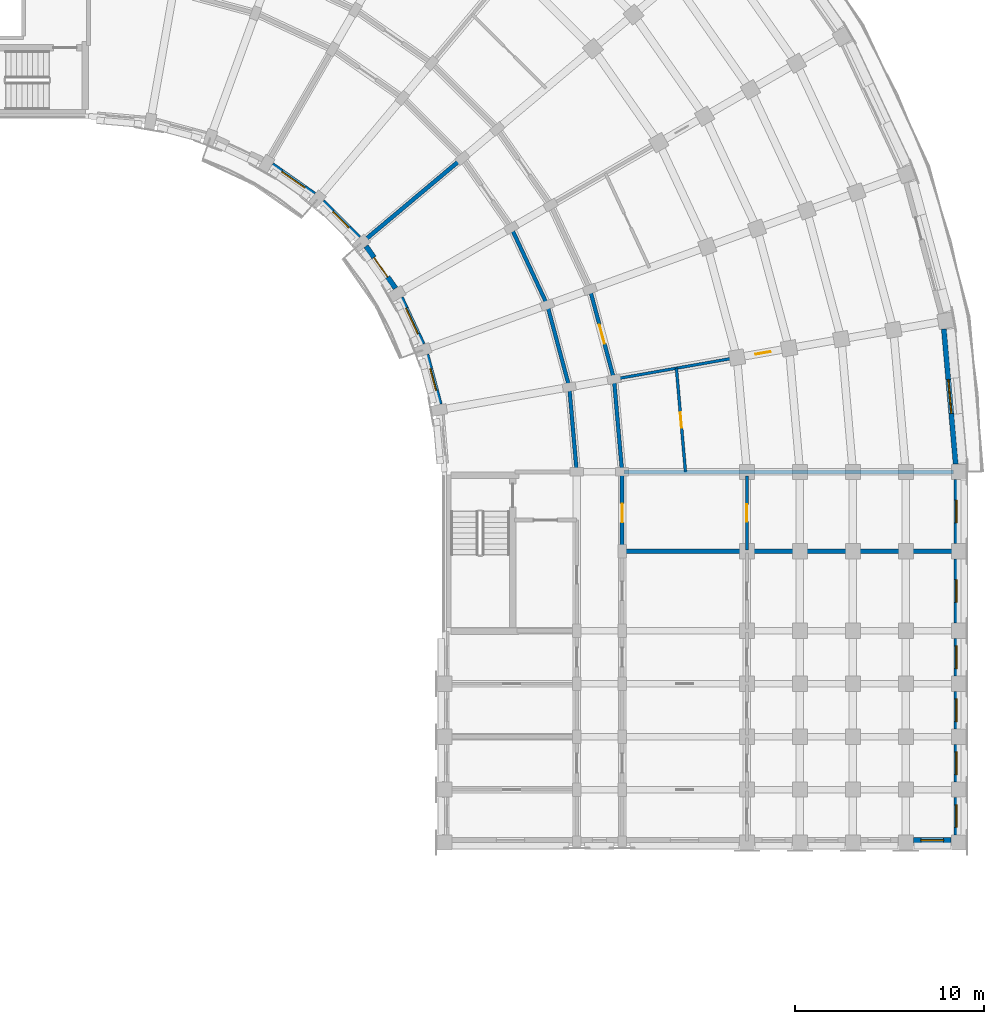
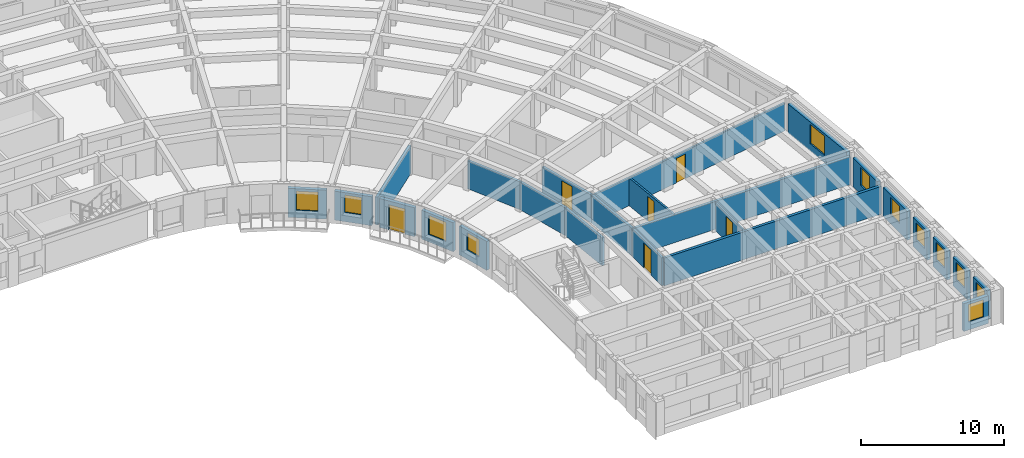
# One storey, part 32 of 54: 25 walls, 12 windows, 6 doors, 18 openings.
"""IFC4 building model written with IfcOpenShell, lengths in metres."""

from ifc_helpers import new_model, si_unit, direction, frame, frame_2d, origin, place, context, subcontext, project, spatial, rectangle, extrude, material, layer, layer_set, type_object, element, fill, save


model = new_model("IFC4")

# Units and contexts
model_context = context("Model", 3, precision=1e-05, world=origin(), true_north=direction((0.0, 1.0)))
body_context = subcontext(model_context, "Body", "Model", "MODEL_VIEW")
ifc_project = project(units=[si_unit("LENGTHUNIT", "METRE"), si_unit("AREAUNIT", "SQUARE_METRE"), si_unit("VOLUMEUNIT", "CUBIC_METRE"), si_unit("PLANEANGLEUNIT", "RADIAN"), si_unit("MASSUNIT", "GRAM", prefix="KILO")], contexts=[model_context])

# Site, building, storey
site_placement = place(None, origin())
site = spatial("IfcSite", under=ifc_project, at=site_placement, CompositionType="ELEMENT")
building_placement = place(site_placement, origin())
building = spatial("IfcBuilding", under=site, at=building_placement, Name="Kiranvali Square Residences", CompositionType="ELEMENT")
storey_placement = place(building_placement, frame((0.0, 0.0, 15.0)))
storey = spatial("IfcBuildingStorey", under=building, at=storey_placement, Name="L04", CompositionType="ELEMENT", Elevation=15.0)

# Walls
ifc_material_1 = material(Name="Autoclaved aerated concrete blockwork masonry", Category="masonry")
ifc_layer_1 = layer(ifc_material_1, 0.199951171875)
ifc_layer_set_1 = layer_set([ifc_layer_1], Name="Autoclaved aerated concrete blockwork masonry")
wall_type_1 = type_object("IfcWallType", Name="WL-COR-200", PredefinedType="STANDARD", material=ifc_layer_set_1)
for number, where, z_axis, x_axis, name in (
    (1, (142.1435546875, 100.699951171875, 0.0), (0.0, 0.0, 1.0), (0.422617978463, -0.906307919131, 0.0), "L04 architectural wall WL-L04-B-CCI-6"),
    (2, (144.044189453125, 96.6240234375, 0.0), (0.0, 0.0, 1.0), (0.258787642463, -0.965934240054, 0.0), "L04 architectural wall WL-L04-B-CCI-7"),
):
    element("IfcWall", number, at=place(storey_placement, frame(where, z_axis=z_axis, x_axis=x_axis)), inside=storey, type_object=wall_type_1, Name=name, PredefinedType="STANDARD", context=body_context, shape_type="SweptSolid", body=[
        extrude(rectangle(XDim=4.497314453125, YDim=0.199951171875, at=frame_2d((2.24853515625, 0.0))), origin(), (0.0, 0.0, 1.0), 2.3720703125),
    ])

# Wall, opening, door
wall_1_placement = place(storey_placement, frame((146.29931640625, 97.445068359375, 0.0), z_axis=(0.0, 0.0, 1.0), x_axis=(0.258803112091, -0.965930095386, 0.0)))
wall_1 = element("IfcWall", 3, at=wall_1_placement, inside=storey, type_object=wall_type_1, Name="L04 architectural wall WL-L04-B-CCO-7", PredefinedType="STANDARD", context=body_context, shape_type="SweptSolid", body=[
    extrude(rectangle(XDim=4.915771484375, YDim=0.199951171875, at=frame_2d((2.4580078125, 0.0))), origin(), (0.0, 0.0, 1.0), 2.3720703125),
])
opening_1_placement = place(wall_1_placement, frame((1.937744140625, 0.0, 0.0)))
opening_1 = element("IfcOpeningElement", 4, at=opening_1_placement, cuts=wall_1, Name="Opening FD-APT-60B", PredefinedType="OPENING", context=body_context, shape_type="SweptSolid", body=[
    extrude(rectangle(XDim=1.0400390625, YDim=2.14990234375, at=frame_2d((0.52001953125, 1.074951171875))), frame((0.0, 0.10986328125, 0.0), z_axis=(0.0, -1.0, 0.0), x_axis=(1.0, 0.0, 0.0)), (0.0, 0.0, 1.0), 0.219970703125),
])
ifc_material_2 = material(Name="Fire-rated acoustic hardwood and mineral-core door assembly", Category="wood")
door_type_1 = type_object("IfcDoorType", Name="DR-APT-1040", OperationType="NOTDEFINED", PredefinedType="DOOR", material=ifc_material_2)
door_1_placement = place(opening_1_placement, frame((1.0400390625, 0.0, 0.0), z_axis=(0.0, 0.0, 1.0), x_axis=(-1.0, 0.0, 0.0)))
door_1 = element("IfcDoor", 5, at=door_1_placement, inside=storey, type_object=door_type_1, Name="L04 door DR-L04-1234 (DR-APT-1040)", OperationType="SINGLE_SWING_RIGHT", OverallHeight=2.14990234375, OverallWidth=1.0400390625, PredefinedType="DOOR", context=body_context, shape_type="SweptSolid", body=[
    extrude(rectangle(XDim=1.0400390625, YDim=2.14990234375, at=frame_2d((0.52001953125, 1.074951171875))), frame((0.0, 0.02490234375, 0.0), z_axis=(0.0, -1.0, 0.0), x_axis=(1.0, 0.0, 0.0)), (0.0, 0.0, 1.0), 0.050048828125),
])
fill(opening_1, door_1)

# Walls
wall_2_placement = place(storey_placement, frame((145.2080078125, 92.280029296875, 0.0), z_axis=(0.0, 0.0, 1.0), x_axis=(0.087187153726, -0.996191949488, 0.0)))
element("IfcWall", 6, at=wall_2_placement, inside=storey, type_object=wall_type_1, Name="L04 architectural wall WL-L04-B-CCI-8", PredefinedType="STANDARD", context=body_context, shape_type="SweptSolid", body=[
    extrude(rectangle(XDim=4.4970703125, YDim=0.199951171875, at=frame_2d((2.24853515625, 0.0))), origin(), (0.0, 0.0, 1.0), 2.3720703125),
])
wall_3_placement = place(storey_placement, frame((147.571533203125, 92.69677734375, 0.0), z_axis=(0.0, 0.0, 1.0), x_axis=(0.087167566415, -0.996193663584, 0.0)))
element("IfcWall", 7, at=wall_3_placement, inside=storey, type_object=wall_type_1, Name="L04 architectural wall WL-L04-B-CCO-8", PredefinedType="STANDARD", context=body_context, shape_type="SweptSolid", body=[
    extrude(rectangle(XDim=4.91552734375, YDim=0.199951171875, at=frame_2d((2.457763671875, 0.0))), origin(), (0.0, 0.0, 1.0), 2.3720703125),
])

# Wall, opening, door
wall_4_placement = place(storey_placement, frame((148.0, 87.64990234375, 0.0), z_axis=(0.0, 0.0, 1.0), x_axis=(0.0, -1.0, 0.0)))
wall_4 = element("IfcWall", 8, at=wall_4_placement, inside=storey, type_object=wall_type_1, Name="L04 architectural wall WL-L04-B-A2CF-C0", PredefinedType="STANDARD", context=body_context, shape_type="SweptSolid", body=[
    extrude(rectangle(XDim=4.0498046875, YDim=0.199951171875, at=frame_2d((2.02490234375, 0.0))), origin(), (0.0, 0.0, 1.0), 2.3720703125),
])
opening_2_placement = place(wall_4_placement, frame((1.52490234375, 0.0, 0.0)))
opening_2 = element("IfcOpeningElement", 9, at=opening_2_placement, cuts=wall_4, Name="Opening FD-APT-60", PredefinedType="OPENING", context=body_context, shape_type="SweptSolid", body=[
    extrude(rectangle(XDim=1.0, YDim=2.14990234375, at=frame_2d((0.5, 1.074951171875))), frame((0.0, 0.10986328125, 0.0), z_axis=(0.0, -1.0, 0.0), x_axis=(1.0, 0.0, 0.0)), (0.0, 0.0, 1.0), 0.219970703125),
])
door_type_2 = type_object("IfcDoorType", Name="DR-APT-1000", OperationType="NOTDEFINED", PredefinedType="DOOR", material=ifc_material_2)
door_2_placement = place(opening_2_placement, origin())
door_2 = element("IfcDoor", 10, at=door_2_placement, inside=storey, type_object=door_type_2, Name="L04 door DR-L04-1239 (DR-APT-1000)", OperationType="SINGLE_SWING_LEFT", OverallHeight=2.14990234375, OverallWidth=1.0, PredefinedType="DOOR", context=body_context, shape_type="SweptSolid", body=[
    extrude(rectangle(XDim=1.0, YDim=2.14990234375, at=frame_2d((0.5, 1.074951171875))), frame((0.0, 0.02490234375, 0.0), z_axis=(0.0, -1.0, 0.0), x_axis=(1.0, 0.0, 0.0)), (0.0, 0.0, 1.0), 0.050048828125),
])
fill(opening_2, door_2)

# Walls
ifc_layer_2 = layer(ifc_material_1, 0.219970703125)
ifc_layer_set_2 = layer_set([ifc_layer_2], Name="Autoclaved aerated concrete blockwork masonry")
wall_type_2 = type_object("IfcWallType", Name="WL-DEM-220", PredefinedType="STANDARD", material=ifc_layer_set_2)
wall_5_placement = place(storey_placement, frame((134.354736328125, 100.012939453125, 0.0), z_axis=(0.0, 0.0, 1.0), x_axis=(0.766046761698, 0.642784846501, 0.0)))
element("IfcWall", 11, at=wall_5_placement, inside=storey, type_object=wall_type_2, Name="L04 architectural wall WL-L04-B-RADI-5", PredefinedType="STANDARD", context=body_context, shape_type="SweptSolid", body=[
    extrude(rectangle(XDim=6.75, YDim=0.219970703125, at=frame_2d((3.375, 0.0))), origin(), (0.0, 0.0, 1.0), 2.3720703125),
])
wall_6_placement = place(storey_placement, frame((148.10009765625, 87.800048828125, 0.0), z_axis=(0.0, 0.0, 1.0), x_axis=(1.0, 0.0, 0.0)))
element("IfcWall", 12, at=wall_6_placement, inside=storey, type_object=wall_type_2, Name="L04 architectural wall WL-L04-B-RADO-9", PredefinedType="STANDARD", context=body_context, shape_type="SweptSolid", body=[
    extrude(rectangle(XDim=17.419921875, YDim=0.219970703125, at=frame_2d((8.7099609375, 0.0))), origin(), (0.0, 0.0, 1.0), 2.3720703125),
])
wall_7_placement = place(storey_placement, frame((148.050048828125, 83.60009765625, 0.0), z_axis=(0.0, 0.0, 1.0), x_axis=(1.0, 0.0, 0.0)))
element("IfcWall", 13, at=wall_7_placement, inside=storey, type_object=wall_type_2, Name="L04 architectural wall WL-L04-B-A2CF-MID", PredefinedType="STANDARD", context=body_context, shape_type="SweptSolid", body=[
    extrude(rectangle(XDim=17.530029296875, YDim=0.219970703125, at=frame_2d((8.76513671875, 0.0))), origin(), (0.0, 0.0, 1.0), 2.3720703125),
])

# Wall, opening, window
ifc_material_3 = material(Name="Breathable lime-rendered clay brick masonry", Category="masonry")
ifc_layer_3 = layer(ifc_material_3, 0.27490234375)
ifc_layer_set_3 = layer_set([ifc_layer_3], Name="Breathable lime-rendered clay brick masonry")
wall_type_3 = type_object("IfcWallType", Name="WL-EXT-275", PredefinedType="STANDARD", material=ifc_layer_set_3)
wall_8_placement = place(storey_placement, frame((165.013916015625, 95.351318359375, 0.0), z_axis=(0.0, 0.0, 1.0), x_axis=(0.08713989423, -0.99619608453, 0.0)))
wall_8 = element("IfcWall", 14, at=wall_8_placement, inside=storey, type_object=wall_type_3, Name="L04 exterior wall B-L04-CRV-08", PredefinedType="STANDARD", context=body_context, shape_type="SweptSolid", body=[
    extrude(rectangle(XDim=7.1640625, YDim=0.27490234375, at=frame_2d((3.58203125, 0.0))), origin(), (0.0, 0.0, 1.0), 2.471923828125),
])
opening_3_placement = place(wall_8_placement, frame((2.68212890625, 0.0, 0.6220703125)))
opening_3 = element("IfcOpeningElement", 15, at=opening_3_placement, cuts=wall_8, Name="Opening W-04", PredefinedType="OPENING", context=body_context, shape_type="SweptSolid", body=[
    extrude(rectangle(XDim=1.800048828125, YDim=1.64990234375, at=frame_2d((0.89990234375, 0.824951171875))), frame((0.0, 0.1474609375, 0.0), z_axis=(0.0, -1.0, 0.0), x_axis=(1.0, 0.0, 0.0)), (0.0, 0.0, 1.0), 0.294921875),
])
ifc_material_4 = material(Name="Solar-control low-e double glazing", Category="glass")
window_type_1 = type_object("IfcWindowType", Name="WIN-RES-1800x1650", PartitioningType="DOUBLE_PANEL_VERTICAL", PredefinedType="WINDOW", material=ifc_material_4)
window_1_placement = place(opening_3_placement, origin())
window_1 = element("IfcWindow", 16, at=window_1_placement, inside=storey, type_object=window_type_1, Name="L04 recessed window B-L04-CRV-08", OverallHeight=1.64990234375, OverallWidth=1.800048828125, PartitioningType="DOUBLE_PANEL_VERTICAL", PredefinedType="WINDOW", context=body_context, shape_type="SweptSolid", body=[
    extrude(rectangle(XDim=1.800048828125, YDim=1.64990234375, at=frame_2d((0.89990234375, 0.824951171875))), frame((0.0, 0.030029296875, 0.0), z_axis=(0.0, -1.0, 0.0), x_axis=(1.0, 0.0, 0.0)), (0.0, 0.0, 1.0), 0.06005859375),
])
fill(opening_3, window_1)

wall_9_placement = place(storey_placement, frame((129.5009765625, 104.023193359375, 0.0), z_axis=(0.0, 0.0, 1.0), x_axis=(0.81917282593, -0.573546755948, 0.0)))
wall_9 = element("IfcWall", 17, at=wall_9_placement, inside=storey, type_object=wall_type_3, Name="L04 exterior wall B-L04-GDN-03", PredefinedType="STANDARD", context=body_context, shape_type="SweptSolid", body=[
    extrude(rectangle(XDim=2.717529296875, YDim=0.27490234375, at=frame_2d((1.35888671875, 0.0))), origin(), (0.0, 0.0, 1.0), 2.471923828125),
])
opening_4_placement = place(wall_9_placement, frame((0.608642578125, 0.0, 0.6220703125)))
opening_4 = element("IfcOpeningElement", 18, at=opening_4_placement, cuts=wall_9, Name="Opening W-05", PredefinedType="OPENING", context=body_context, shape_type="SweptSolid", body=[
    extrude(rectangle(XDim=1.5, YDim=1.64990234375, at=frame_2d((0.75, 0.824951171875))), frame((0.0, 0.1474609375, 0.0), z_axis=(0.0, -1.0, 0.0), x_axis=(1.0, 0.0, 0.0)), (0.0, 0.0, 1.0), 0.294921875),
])
window_type_2 = type_object("IfcWindowType", Name="WIN-RES-1500x1650", PartitioningType="DOUBLE_PANEL_VERTICAL", PredefinedType="WINDOW", material=ifc_material_4)
window_2_placement = place(opening_4_placement, origin())
window_2 = element("IfcWindow", 19, at=window_2_placement, inside=storey, type_object=window_type_2, Name="L04 recessed window B-L04-GDN-03", OverallHeight=1.64990234375, OverallWidth=1.5, PartitioningType="DOUBLE_PANEL_VERTICAL", PredefinedType="WINDOW", context=body_context, shape_type="SweptSolid", body=[
    extrude(rectangle(XDim=1.5, YDim=1.64990234375, at=frame_2d((0.75, 0.824951171875))), frame((0.0, 0.030029296875, 0.0), z_axis=(0.0, -1.0, 0.0), x_axis=(1.0, 0.0, 0.0)), (0.0, 0.0, 1.0), 0.06005859375),
])
fill(opening_4, window_2)

wall_10_placement = place(storey_placement, frame((132.170654296875, 102.09228515625, 0.0), z_axis=(0.0, 0.0, 1.0), x_axis=(0.707106781187, -0.707106781187, 0.0)))
wall_10 = element("IfcWall", 20, at=wall_10_placement, inside=storey, type_object=wall_type_3, Name="L04 exterior wall B-L04-GDN-04", PredefinedType="STANDARD", context=body_context, shape_type="SweptSolid", body=[
    extrude(rectangle(XDim=2.717529296875, YDim=0.27490234375, at=frame_2d((1.35888671875, 0.0))), origin(), (0.0, 0.0, 1.0), 2.471923828125),
])
opening_5_placement = place(wall_10_placement, frame((0.7587890625, 0.0, 0.77197265625)))
opening_5 = element("IfcOpeningElement", 21, at=opening_5_placement, cuts=wall_10, Name="Opening W-06", PredefinedType="OPENING", context=body_context, shape_type="SweptSolid", body=[
    extrude(rectangle(XDim=1.199951171875, YDim=1.5, at=frame_2d((0.60009765625, 0.75))), frame((0.0, 0.1474609375, 0.0), z_axis=(0.0, -1.0, 0.0), x_axis=(1.0, 0.0, 0.0)), (0.0, 0.0, 1.0), 0.294921875),
])
window_type_3 = type_object("IfcWindowType", Name="WIN-RES-1200x1500", PartitioningType="SINGLE_PANEL", PredefinedType="WINDOW", material=ifc_material_4)
window_3_placement = place(opening_5_placement, origin())
window_3 = element("IfcWindow", 22, at=window_3_placement, inside=storey, type_object=window_type_3, Name="L04 recessed window B-L04-GDN-04", OverallHeight=1.5, OverallWidth=1.199951171875, PartitioningType="SINGLE_PANEL", PredefinedType="WINDOW", context=body_context, shape_type="SweptSolid", body=[
    extrude(rectangle(XDim=1.199951171875, YDim=1.5, at=frame_2d((0.60009765625, 0.75))), frame((0.0, 0.030029296875, 0.0), z_axis=(0.0, -1.0, 0.0), x_axis=(1.0, 0.0, 0.0)), (0.0, 0.0, 1.0), 0.06005859375),
])
fill(opening_5, window_3)

# Wall, opening, door
wall_11_placement = place(storey_placement, frame((134.464599609375, 99.72705078125, 0.0), z_axis=(0.0, 0.0, 1.0), x_axis=(0.573546755948, -0.81917282593, 0.0)))
wall_11 = element("IfcWall", 23, at=wall_11_placement, inside=storey, type_object=wall_type_3, Name="L04 exterior wall B-L04-GDN-05", PredefinedType="STANDARD", context=body_context, shape_type="SweptSolid", body=[
    extrude(rectangle(XDim=2.717529296875, YDim=0.27490234375, at=frame_2d((1.35888671875, 0.0))), origin(), (0.0, 0.0, 1.0), 2.471923828125),
])
opening_6_placement = place(wall_11_placement, frame((0.728759765625, 0.0, 0.0)))
opening_6 = element("IfcOpeningElement", 24, at=opening_6_placement, cuts=wall_11, Name="Opening ED-BAL-2", PredefinedType="OPENING", context=body_context, shape_type="SweptSolid", body=[
    extrude(rectangle(XDim=1.260009765625, YDim=2.14990234375, at=frame_2d((0.6298828125, 1.074951171875))), frame((0.0, 0.1474609375, 0.0), z_axis=(0.0, -1.0, 0.0), x_axis=(1.0, 0.0, 0.0)), (0.0, 0.0, 1.0), 0.294921875),
])
ifc_material_5 = material(Name="Anodised bronze aluminium framing", Category="aluminium")
door_type_3 = type_object("IfcDoorType", Name="DR-BAL-1260", OperationType="NOTDEFINED", PredefinedType="DOOR", material=ifc_material_5)
door_3_placement = place(opening_6_placement, frame((1.260009765625, 0.0, 0.0), z_axis=(0.0, 0.0, 1.0), x_axis=(-1.0, 0.0, 0.0)))
door_3 = element("IfcDoor", 25, at=door_3_placement, inside=storey, type_object=door_type_3, Name="L04 balcony terrace door", OperationType="SINGLE_SWING_LEFT", OverallHeight=2.14990234375, OverallWidth=1.260009765625, PredefinedType="DOOR", context=body_context, shape_type="SweptSolid", body=[
    extrude(rectangle(XDim=1.260009765625, YDim=2.14990234375, at=frame_2d((0.6298828125, 1.074951171875))), frame((0.0, 0.02490234375, 0.0), z_axis=(0.0, -1.0, 0.0), x_axis=(1.0, 0.0, 0.0)), (0.0, 0.0, 1.0), 0.050048828125),
])
fill(opening_6, door_3)

# Wall, opening, window
wall_12_placement = place(storey_placement, frame((136.312744140625, 96.999267578125, 0.0), z_axis=(0.0, 0.0, 1.0), x_axis=(0.422610022166, -0.906311629168, 0.0)))
wall_12 = element("IfcWall", 26, at=wall_12_placement, inside=storey, type_object=wall_type_3, Name="L04 exterior wall B-L04-GDN-06", PredefinedType="STANDARD", context=body_context, shape_type="SweptSolid", body=[
    extrude(rectangle(XDim=2.717529296875, YDim=0.27490234375, at=frame_2d((1.35888671875, 0.0))), origin(), (0.0, 0.0, 1.0), 2.471923828125),
])
opening_7_placement = place(wall_12_placement, frame((0.608642578125, 0.0, 0.6220703125)))
opening_7 = element("IfcOpeningElement", 27, at=opening_7_placement, cuts=wall_12, Name="Opening W-05", PredefinedType="OPENING", context=body_context, shape_type="SweptSolid", body=[
    extrude(rectangle(XDim=1.5, YDim=1.64990234375, at=frame_2d((0.75, 0.824951171875))), frame((0.0, 0.1474609375, 0.0), z_axis=(0.0, -1.0, 0.0), x_axis=(1.0, 0.0, 0.0)), (0.0, 0.0, 1.0), 0.294921875),
])
window_4_placement = place(opening_7_placement, origin())
window_4 = element("IfcWindow", 28, at=window_4_placement, inside=storey, type_object=window_type_2, Name="L04 recessed window B-L04-GDN-06", OverallHeight=1.64990234375, OverallWidth=1.5, PartitioningType="DOUBLE_PANEL_VERTICAL", PredefinedType="WINDOW", context=body_context, shape_type="SweptSolid", body=[
    extrude(rectangle(XDim=1.5, YDim=1.64990234375, at=frame_2d((0.75, 0.824951171875))), frame((0.0, 0.030029296875, 0.0), z_axis=(0.0, -1.0, 0.0), x_axis=(1.0, 0.0, 0.0)), (0.0, 0.0, 1.0), 0.06005859375),
])
fill(opening_7, window_4)

wall_13_placement = place(storey_placement, frame((137.659423828125, 93.9921875, 0.0), z_axis=(0.0, 0.0, 1.0), x_axis=(0.258819907011, -0.965925595341, 0.0)))
wall_13 = element("IfcWall", 29, at=wall_13_placement, inside=storey, type_object=wall_type_3, Name="L04 exterior wall B-L04-GDN-07", PredefinedType="STANDARD", context=body_context, shape_type="SweptSolid", body=[
    extrude(rectangle(XDim=2.717529296875, YDim=0.27490234375, at=frame_2d((1.35888671875, 0.0))), origin(), (0.0, 0.0, 1.0), 2.471923828125),
])
opening_8_placement = place(wall_13_placement, frame((0.7587890625, 0.0, 0.77197265625)))
opening_8 = element("IfcOpeningElement", 30, at=opening_8_placement, cuts=wall_13, Name="Opening W-06", PredefinedType="OPENING", context=body_context, shape_type="SweptSolid", body=[
    extrude(rectangle(XDim=1.199951171875, YDim=1.5, at=frame_2d((0.60009765625, 0.75))), frame((0.0, 0.1474609375, 0.0), z_axis=(0.0, -1.0, 0.0), x_axis=(1.0, 0.0, 0.0)), (0.0, 0.0, 1.0), 0.294921875),
])
window_5_placement = place(opening_8_placement, origin())
window_5 = element("IfcWindow", 31, at=window_5_placement, inside=storey, type_object=window_type_3, Name="L04 recessed window B-L04-GDN-07", OverallHeight=1.5, OverallWidth=1.199951171875, PartitioningType="SINGLE_PANEL", PredefinedType="WINDOW", context=body_context, shape_type="SweptSolid", body=[
    extrude(rectangle(XDim=1.199951171875, YDim=1.5, at=frame_2d((0.60009765625, 0.75))), frame((0.0, 0.030029296875, 0.0), z_axis=(0.0, -1.0, 0.0), x_axis=(1.0, 0.0, 0.0)), (0.0, 0.0, 1.0), 0.06005859375),
])
fill(opening_8, window_5)

wall_14_placement = place(storey_placement, frame((165.675048828125, 87.396484375, 0.0), z_axis=(0.0, 0.0, 1.0), x_axis=(0.0, -1.0, 0.0)))
wall_14 = element("IfcWall", 32, at=wall_14_placement, inside=storey, type_object=wall_type_3, Name="L04 exterior wall B-L04-A2O-0", PredefinedType="STANDARD", context=body_context, shape_type="SweptSolid", body=[
    extrude(rectangle(XDim=3.39306640625, YDim=0.27490234375, at=frame_2d((1.696533203125, 0.0))), origin(), (0.0, 0.0, 1.0), 2.471923828125),
])
opening_9_placement = place(wall_14_placement, frame((1.096435546875, 0.0, 0.77197265625)))
opening_9 = element("IfcOpeningElement", 33, at=opening_9_placement, cuts=wall_14, Name="Opening W-06", PredefinedType="OPENING", context=body_context, shape_type="SweptSolid", body=[
    extrude(rectangle(XDim=1.199951171875, YDim=1.5, at=frame_2d((0.60009765625, 0.75))), frame((0.0, 0.1474609375, 0.0), z_axis=(0.0, -1.0, 0.0), x_axis=(1.0, 0.0, 0.0)), (0.0, 0.0, 1.0), 0.294921875),
])
window_6_placement = place(opening_9_placement, origin())
window_6 = element("IfcWindow", 34, at=window_6_placement, inside=storey, type_object=window_type_3, Name="L04 recessed window B-L04-A2O-0", OverallHeight=1.5, OverallWidth=1.199951171875, PartitioningType="SINGLE_PANEL", PredefinedType="WINDOW", context=body_context, shape_type="SweptSolid", body=[
    extrude(rectangle(XDim=1.199951171875, YDim=1.5, at=frame_2d((0.60009765625, 0.75))), frame((0.0, 0.030029296875, 0.0), z_axis=(0.0, -1.0, 0.0), x_axis=(1.0, 0.0, 0.0)), (0.0, 0.0, 1.0), 0.06005859375),
])
fill(opening_9, window_6)

wall_15_placement = place(storey_placement, frame((165.675048828125, 83.196533203125, 0.0), z_axis=(0.0, 0.0, 1.0), x_axis=(0.0, -1.0, 0.0)))
wall_15 = element("IfcWall", 35, at=wall_15_placement, inside=storey, type_object=wall_type_3, Name="L04 exterior wall B-L04-A2O-1", PredefinedType="STANDARD", context=body_context, shape_type="SweptSolid", body=[
    extrude(rectangle(XDim=3.39306640625, YDim=0.27490234375, at=frame_2d((1.696533203125, 0.0))), origin(), (0.0, 0.0, 1.0), 2.471923828125),
])
opening_10_placement = place(wall_15_placement, frame((1.096435546875, 0.0, 0.77197265625)))
opening_10 = element("IfcOpeningElement", 36, at=opening_10_placement, cuts=wall_15, Name="Opening W-06", PredefinedType="OPENING", context=body_context, shape_type="SweptSolid", body=[
    extrude(rectangle(XDim=1.199951171875, YDim=1.5, at=frame_2d((0.60009765625, 0.75))), frame((0.0, 0.1474609375, 0.0), z_axis=(0.0, -1.0, 0.0), x_axis=(1.0, 0.0, 0.0)), (0.0, 0.0, 1.0), 0.294921875),
])
window_7_placement = place(opening_10_placement, origin())
window_7 = element("IfcWindow", 37, at=window_7_placement, inside=storey, type_object=window_type_3, Name="L04 recessed window B-L04-A2O-1", OverallHeight=1.5, OverallWidth=1.199951171875, PartitioningType="SINGLE_PANEL", PredefinedType="WINDOW", context=body_context, shape_type="SweptSolid", body=[
    extrude(rectangle(XDim=1.199951171875, YDim=1.5, at=frame_2d((0.60009765625, 0.75))), frame((0.0, 0.030029296875, 0.0), z_axis=(0.0, -1.0, 0.0), x_axis=(1.0, 0.0, 0.0)), (0.0, 0.0, 1.0), 0.06005859375),
])
fill(opening_10, window_7)

wall_16_placement = place(storey_placement, frame((165.675048828125, 78.99658203125, 0.0), z_axis=(0.0, 0.0, 1.0), x_axis=(0.0, -1.0, 0.0)))
wall_16 = element("IfcWall", 38, at=wall_16_placement, inside=storey, type_object=wall_type_3, Name="L04 exterior wall B-L04-A2O-2", PredefinedType="STANDARD", context=body_context, shape_type="SweptSolid", body=[
    extrude(rectangle(XDim=1.9931640625, YDim=0.27490234375, at=frame_2d((0.99658203125, 0.0))), origin(), (0.0, 0.0, 1.0), 2.471923828125),
])
opening_11_placement = place(wall_16_placement, frame((0.396484375, 0.0, 0.77197265625)))
opening_11 = element("IfcOpeningElement", 39, at=opening_11_placement, cuts=wall_16, Name="Opening W-06", PredefinedType="OPENING", context=body_context, shape_type="SweptSolid", body=[
    extrude(rectangle(XDim=1.199951171875, YDim=1.5, at=frame_2d((0.60009765625, 0.75))), frame((0.0, 0.1474609375, 0.0), z_axis=(0.0, -1.0, 0.0), x_axis=(1.0, 0.0, 0.0)), (0.0, 0.0, 1.0), 0.294921875),
])
window_8_placement = place(opening_11_placement, origin())
window_8 = element("IfcWindow", 40, at=window_8_placement, inside=storey, type_object=window_type_3, Name="L04 recessed window B-L04-A2O-2", OverallHeight=1.5, OverallWidth=1.199951171875, PartitioningType="SINGLE_PANEL", PredefinedType="WINDOW", context=body_context, shape_type="SweptSolid", body=[
    extrude(rectangle(XDim=1.199951171875, YDim=1.5, at=frame_2d((0.60009765625, 0.75))), frame((0.0, 0.030029296875, 0.0), z_axis=(0.0, -1.0, 0.0), x_axis=(1.0, 0.0, 0.0)), (0.0, 0.0, 1.0), 0.06005859375),
])
fill(opening_11, window_8)

wall_17_placement = place(storey_placement, frame((165.675048828125, 76.196533203125, 0.0), z_axis=(0.0, 0.0, 1.0), x_axis=(0.0, -1.0, 0.0)))
wall_17 = element("IfcWall", 41, at=wall_17_placement, inside=storey, type_object=wall_type_3, Name="L04 exterior wall B-L04-A2O-3", PredefinedType="STANDARD", context=body_context, shape_type="SweptSolid", body=[
    extrude(rectangle(XDim=1.992919921875, YDim=0.27490234375, at=frame_2d((0.99658203125, 0.0))), origin(), (0.0, 0.0, 1.0), 2.471923828125),
])
opening_12_placement = place(wall_17_placement, frame((0.396484375, 0.0, 0.77197265625)))
opening_12 = element("IfcOpeningElement", 42, at=opening_12_placement, cuts=wall_17, Name="Opening W-06", PredefinedType="OPENING", context=body_context, shape_type="SweptSolid", body=[
    extrude(rectangle(XDim=1.199951171875, YDim=1.5, at=frame_2d((0.60009765625, 0.75))), frame((0.0, 0.1474609375, 0.0), z_axis=(0.0, -1.0, 0.0), x_axis=(1.0, 0.0, 0.0)), (0.0, 0.0, 1.0), 0.294921875),
])
window_9_placement = place(opening_12_placement, origin())
window_9 = element("IfcWindow", 43, at=window_9_placement, inside=storey, type_object=window_type_3, Name="L04 recessed window B-L04-A2O-3", OverallHeight=1.5, OverallWidth=1.199951171875, PartitioningType="SINGLE_PANEL", PredefinedType="WINDOW", context=body_context, shape_type="SweptSolid", body=[
    extrude(rectangle(XDim=1.199951171875, YDim=1.5, at=frame_2d((0.60009765625, 0.75))), frame((0.0, 0.030029296875, 0.0), z_axis=(0.0, -1.0, 0.0), x_axis=(1.0, 0.0, 0.0)), (0.0, 0.0, 1.0), 0.06005859375),
])
fill(opening_12, window_9)

wall_18_placement = place(storey_placement, frame((165.675048828125, 73.396484375, 0.0), z_axis=(0.0, 0.0, 1.0), x_axis=(0.0, -1.0, 0.0)))
wall_18 = element("IfcWall", 44, at=wall_18_placement, inside=storey, type_object=wall_type_3, Name="L04 exterior wall B-L04-A2O-4", PredefinedType="STANDARD", context=body_context, shape_type="SweptSolid", body=[
    extrude(rectangle(XDim=1.992919921875, YDim=0.27490234375, at=frame_2d((0.99658203125, 0.0))), origin(), (0.0, 0.0, 1.0), 2.471923828125),
])
opening_13_placement = place(wall_18_placement, frame((0.396484375, 0.0, 0.77197265625)))
opening_13 = element("IfcOpeningElement", 45, at=opening_13_placement, cuts=wall_18, Name="Opening W-06", PredefinedType="OPENING", context=body_context, shape_type="SweptSolid", body=[
    extrude(rectangle(XDim=1.199951171875, YDim=1.5, at=frame_2d((0.60009765625, 0.75))), frame((0.0, 0.1474609375, 0.0), z_axis=(0.0, -1.0, 0.0), x_axis=(1.0, 0.0, 0.0)), (0.0, 0.0, 1.0), 0.294921875),
])
window_10_placement = place(opening_13_placement, origin())
window_10 = element("IfcWindow", 46, at=window_10_placement, inside=storey, type_object=window_type_3, Name="L04 recessed window B-L04-A2O-4", OverallHeight=1.5, OverallWidth=1.199951171875, PartitioningType="SINGLE_PANEL", PredefinedType="WINDOW", context=body_context, shape_type="SweptSolid", body=[
    extrude(rectangle(XDim=1.199951171875, YDim=1.5, at=frame_2d((0.60009765625, 0.75))), frame((0.0, 0.030029296875, 0.0), z_axis=(0.0, -1.0, 0.0), x_axis=(1.0, 0.0, 0.0)), (0.0, 0.0, 1.0), 0.06005859375),
])
fill(opening_13, window_10)

wall_19_placement = place(storey_placement, frame((165.675048828125, 70.596435546875, 0.0), z_axis=(0.0, 0.0, 1.0), x_axis=(0.0, -1.0, 0.0)))
wall_19 = element("IfcWall", 47, at=wall_19_placement, inside=storey, type_object=wall_type_3, Name="L04 exterior wall B-L04-A2O-5", PredefinedType="STANDARD", context=body_context, shape_type="SweptSolid", body=[
    extrude(rectangle(XDim=1.992919921875, YDim=0.27490234375, at=frame_2d((0.99658203125, 0.0))), origin(), (0.0, 0.0, 1.0), 2.471923828125),
])
opening_14_placement = place(wall_19_placement, frame((0.396484375, 0.0, 0.77197265625)))
opening_14 = element("IfcOpeningElement", 48, at=opening_14_placement, cuts=wall_19, Name="Opening W-06", PredefinedType="OPENING", context=body_context, shape_type="SweptSolid", body=[
    extrude(rectangle(XDim=1.199951171875, YDim=1.5, at=frame_2d((0.60009765625, 0.75))), frame((0.0, 0.1474609375, 0.0), z_axis=(0.0, -1.0, 0.0), x_axis=(1.0, 0.0, 0.0)), (0.0, 0.0, 1.0), 0.294921875),
])
window_11_placement = place(opening_14_placement, origin())
window_11 = element("IfcWindow", 49, at=window_11_placement, inside=storey, type_object=window_type_3, Name="L04 recessed window B-L04-A2O-5", OverallHeight=1.5, OverallWidth=1.199951171875, PartitioningType="SINGLE_PANEL", PredefinedType="WINDOW", context=body_context, shape_type="SweptSolid", body=[
    extrude(rectangle(XDim=1.199951171875, YDim=1.5, at=frame_2d((0.60009765625, 0.75))), frame((0.0, 0.030029296875, 0.0), z_axis=(0.0, -1.0, 0.0), x_axis=(1.0, 0.0, 0.0)), (0.0, 0.0, 1.0), 0.06005859375),
])
fill(opening_14, window_11)

wall_20_placement = place(storey_placement, frame((163.403564453125, 68.324951171875, 0.0), z_axis=(0.0, 0.0, 1.0), x_axis=(1.0, 0.0, 0.0)))
wall_20 = element("IfcWall", 50, at=wall_20_placement, inside=storey, type_object=wall_type_3, Name="L04 exterior wall B-L04-A2END-6", PredefinedType="STANDARD", context=body_context, shape_type="SweptSolid", body=[
    extrude(rectangle(XDim=1.992919921875, YDim=0.27490234375, at=frame_2d((0.99658203125, 0.0))), origin(), (0.0, 0.0, 1.0), 2.3720703125),
])
opening_15_placement = place(wall_20_placement, frame((0.396484375, 0.0, 0.672119140625)))
opening_15 = element("IfcOpeningElement", 51, at=opening_15_placement, cuts=wall_20, Name="Opening W-06", PredefinedType="OPENING", context=body_context, shape_type="SweptSolid", body=[
    extrude(rectangle(XDim=1.199951171875, YDim=1.5, at=frame_2d((0.60009765625, 0.75))), frame((0.0, 0.1474609375, 0.0), z_axis=(0.0, -1.0, 0.0), x_axis=(1.0, 0.0, 0.0)), (0.0, 0.0, 1.0), 0.294921875),
])
window_12_placement = place(opening_15_placement, origin())
window_12 = element("IfcWindow", 52, at=window_12_placement, inside=storey, type_object=window_type_3, Name="L04 recessed window B-L04-A2END-6", OverallHeight=1.5, OverallWidth=1.199951171875, PartitioningType="SINGLE_PANEL", PredefinedType="WINDOW", context=body_context, shape_type="SweptSolid", body=[
    extrude(rectangle(XDim=1.199951171875, YDim=1.5, at=frame_2d((0.60009765625, 0.75))), frame((0.0, 0.030029296875, 0.0), z_axis=(0.0, -1.0, 0.0), x_axis=(1.0, 0.0, 0.0)), (0.0, 0.0, 1.0), 0.06005859375),
])
fill(opening_15, window_12)

# Wall, opening, door
ifc_material_6 = material(Name="Acoustic gypsum board drylined partition", Category="gypsum")
ifc_layer_4 = layer(ifc_material_6, 0.14990234375)
ifc_layer_set_4 = layer_set([ifc_layer_4], Name="Acoustic gypsum board drylined partition")
wall_type_4 = type_object("IfcWallType", Name="WL-PRT-150", PredefinedType="PARTITIONING", material=ifc_layer_set_4)
wall_21_placement = place(storey_placement, frame((147.670166015625, 92.71435546875, 0.0), z_axis=(0.0, 0.0, 1.0), x_axis=(0.984808098809, 0.173646216546, 0.0)))
wall_21 = element("IfcWall", 53, at=wall_21_placement, inside=storey, type_object=wall_type_4, Name="L04 architectural wall WL-L04-B-RADO-8", PredefinedType="PARTITIONING", context=body_context, shape_type="SweptSolid", body=[
    extrude(rectangle(XDim=17.419921875, YDim=0.14990234375, at=frame_2d((8.7099609375, 0.0))), origin(), (0.0, 0.0, 1.0), 2.3720703125),
])
opening_16_placement = place(wall_21_placement, frame((7.5, 0.0, 0.0)))
opening_16 = element("IfcOpeningElement", 54, at=opening_16_placement, cuts=wall_21, Name="Opening ID-WET", PredefinedType="OPENING", context=body_context, shape_type="SweptSolid", body=[
    extrude(rectangle(XDim=0.800048828125, YDim=2.10009765625, at=frame_2d((0.39990234375, 1.050048828125))), frame((0.0, 0.0849609375, 0.0), z_axis=(0.0, -1.0, 0.0), x_axis=(1.0, 0.0, 0.0)), (0.0, 0.0, 1.0), 0.169921875),
])
ifc_material_7 = material(Name="Solid seasoned teak hardwood joinery", Category="wood")
door_type_4 = type_object("IfcDoorType", Name="DR-WET-800", OperationType="NOTDEFINED", PredefinedType="DOOR", material=ifc_material_7)
door_4_placement = place(opening_16_placement, origin())
door_4 = element("IfcDoor", 55, at=door_4_placement, inside=storey, type_object=door_type_4, Name="L04 door DR-L04-1227 (DR-WET-800)", OperationType="SINGLE_SWING_LEFT", OverallHeight=2.10009765625, OverallWidth=0.800048828125, PredefinedType="DOOR", context=body_context, shape_type="SweptSolid", body=[
    extrude(rectangle(XDim=0.800048828125, YDim=2.10009765625, at=frame_2d((0.39990234375, 1.050048828125))), frame((0.0, 0.02490234375, 0.0), z_axis=(0.0, -1.0, 0.0), x_axis=(1.0, 0.0, 0.0)), (0.0, 0.0, 1.0), 0.050048828125),
])
fill(opening_16, door_4)

wall_22_placement = place(storey_placement, frame((154.60009765625, 87.570068359375, 0.0), z_axis=(0.0, 0.0, 1.0), x_axis=(0.0, -1.0, 0.0)))
wall_22 = element("IfcWall", 56, at=wall_22_placement, inside=storey, type_object=wall_type_4, Name="L04 architectural wall WL-L04-B-A2CF-SP0", PredefinedType="PARTITIONING", context=body_context, shape_type="SweptSolid", body=[
    extrude(rectangle(XDim=3.89013671875, YDim=0.14990234375, at=frame_2d((1.945068359375, 0.0))), origin(), (0.0, 0.0, 1.0), 2.3720703125),
])
opening_17_placement = place(wall_22_placement, frame((1.4951171875, 0.0, 0.0)))
opening_17 = element("IfcOpeningElement", 57, at=opening_17_placement, cuts=wall_22, Name="Opening ID-1", PredefinedType="OPENING", context=body_context, shape_type="SweptSolid", body=[
    extrude(rectangle(XDim=0.89990234375, YDim=2.10009765625, at=frame_2d((0.449951171875, 1.050048828125))), frame((0.0, 0.0849609375, 0.0), z_axis=(0.0, -1.0, 0.0), x_axis=(1.0, 0.0, 0.0)), (0.0, 0.0, 1.0), 0.169921875),
])
door_type_5 = type_object("IfcDoorType", Name="DR-INT-900", OperationType="NOTDEFINED", PredefinedType="DOOR", material=ifc_material_7)
door_5_placement = place(opening_17_placement, frame((0.89990234375, 0.0, 0.0), z_axis=(0.0, 0.0, 1.0), x_axis=(-1.0, 0.0, 0.0)))
door_5 = element("IfcDoor", 58, at=door_5_placement, inside=storey, type_object=door_type_5, Name="L04 door DR-L04-1240 (DR-INT-900)", OperationType="SINGLE_SWING_RIGHT", OverallHeight=2.10009765625, OverallWidth=0.89990234375, PredefinedType="DOOR", context=body_context, shape_type="SweptSolid", body=[
    extrude(rectangle(XDim=0.89990234375, YDim=2.10009765625, at=frame_2d((0.449951171875, 1.050048828125))), frame((0.0, 0.02490234375, 0.0), z_axis=(0.0, -1.0, 0.0), x_axis=(1.0, 0.0, 0.0)), (0.0, 0.0, 1.0), 0.050048828125),
])
fill(opening_17, door_5)

ifc_layer_5 = layer(ifc_material_1, 0.14990234375)
ifc_layer_set_5 = layer_set([ifc_layer_5], Name="Autoclaved aerated concrete blockwork masonry")
wall_type_5 = type_object("IfcWallType", Name="WL-WET-150", PredefinedType="PLUMBINGWALL", material=ifc_layer_set_5)
wall_23_placement = place(storey_placement, frame((150.87060546875, 93.278564453125, 0.0), z_axis=(0.0, 0.0, 1.0), x_axis=(0.087188978393, -0.996191789791, 0.0)))
wall_23 = element("IfcWall", 59, at=wall_23_placement, inside=storey, type_object=wall_type_5, Name="L04 architectural wall WL-L04-B-CWET-8", PredefinedType="PLUMBINGWALL", context=body_context, shape_type="SweptSolid", body=[
    extrude(rectangle(XDim=5.49951171875, YDim=0.14990234375, at=frame_2d((2.749755859375, 0.0))), origin(), (0.0, 0.0, 1.0), 2.3720703125),
])
opening_18_placement = place(wall_23_placement, frame((2.349853515625, 0.0, 0.0)))
opening_18 = element("IfcOpeningElement", 60, at=opening_18_placement, cuts=wall_23, Name="Opening ID-WET", PredefinedType="OPENING", context=body_context, shape_type="SweptSolid", body=[
    extrude(rectangle(XDim=0.800048828125, YDim=2.10009765625, at=frame_2d((0.39990234375, 1.050048828125))), frame((0.0, 0.0849609375, 0.0), z_axis=(0.0, -1.0, 0.0), x_axis=(1.0, 0.0, 0.0)), (0.0, 0.0, 1.0), 0.169921875),
])
door_6_placement = place(opening_18_placement, origin())
door_6 = element("IfcDoor", 61, at=door_6_placement, inside=storey, type_object=door_type_4, Name="L04 door DR-L04-1235 (DR-WET-800)", OperationType="SINGLE_SWING_LEFT", OverallHeight=2.10009765625, OverallWidth=0.800048828125, PredefinedType="DOOR", context=body_context, shape_type="SweptSolid", body=[
    extrude(rectangle(XDim=0.800048828125, YDim=2.10009765625, at=frame_2d((0.39990234375, 1.050048828125))), frame((0.0, 0.02490234375, 0.0), z_axis=(0.0, -1.0, 0.0), x_axis=(1.0, 0.0, 0.0)), (0.0, 0.0, 1.0), 0.050048828125),
])
fill(opening_18, door_6)

save(model, "model.ifc")
